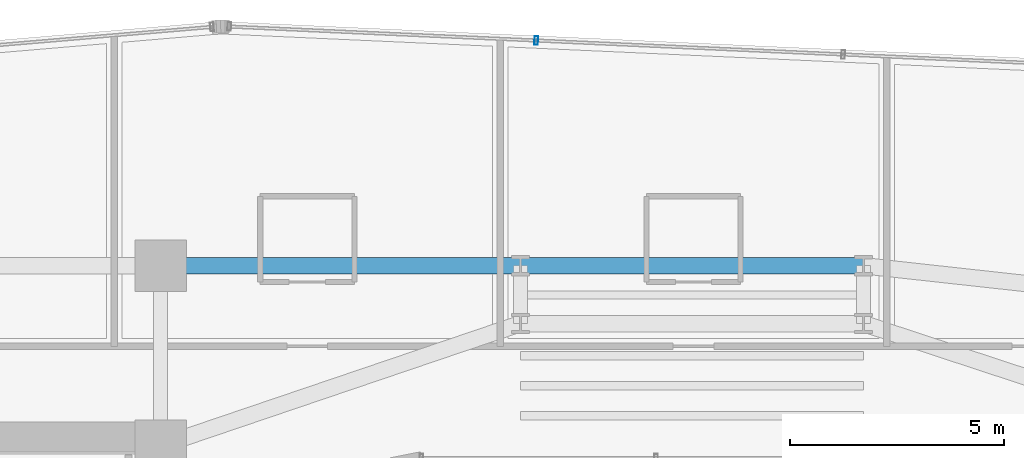
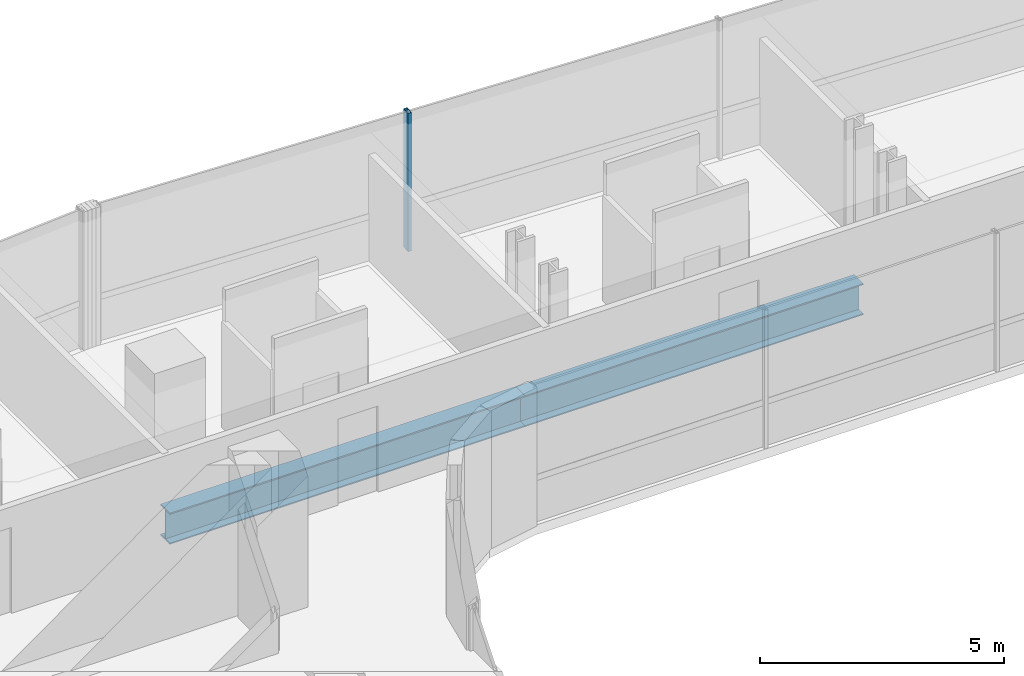
# One storey, part 20 of 35: 2 beams, 1 member, 1 element without a shape of its own.
"""IFC4 building model written with IfcOpenShell, lengths in metres."""

from ifc_helpers import new_model, si_unit, direction, frame, origin, origin_2d, place, context, subcontext, project, spatial, hollow_rectangle, i_section, extrude, source, transform, mapped, material, material_profile, profile_set, type_object, element, aggregate, save


model = new_model("IFC4")

# Units and contexts
model_context = context("Model", 3, precision=1e-05, world=origin(), true_north=direction((0.0, 1.0)))
body_context = subcontext(model_context, "Body", "Model", "MODEL_VIEW")
ifc_project = project(units=[si_unit("LENGTHUNIT", "METRE"), si_unit("AREAUNIT", "SQUARE_METRE"), si_unit("VOLUMEUNIT", "CUBIC_METRE"), si_unit("PLANEANGLEUNIT", "RADIAN"), si_unit("MASSUNIT", "GRAM", prefix="KILO")], contexts=[model_context])

# Site, building, storey
site_placement = place(None, origin())
site = spatial("IfcSite", under=ifc_project, at=site_placement, CompositionType="ELEMENT")
building_placement = place(site_placement, origin())
building = spatial("IfcBuilding", under=site, at=building_placement, Name="Valdorenza Pilgrim Sanctuary Tower", CompositionType="ELEMENT")
storey_placement = place(building_placement, frame((0.0, 0.0, 113.10009765625)))
storey = spatial("IfcBuildingStorey", under=building, at=storey_placement, Name="L28", CompositionType="ELEMENT", Elevation=113.10009765625)

# Beams
ifc_material_1 = material(Name="Steel ASTM A992 Grade 50", Category="steel")
ifc_material_profile_1 = material_profile(ifc_material_1, i_section(OverallWidth=0.382080078125, OverallDepth=0.779052734375, WebThickness=0.01806640625, FlangeThickness=0.030029296875, at=origin_2d()), Name="W30X191")
ifc_profile_set_1 = profile_set([ifc_material_profile_1], Name="Steel ASTM A992 Grade 50")
beam_type = type_object("IfcBeamType", Name="STR-BM-GRD-W30", PredefinedType="BEAM", material=ifc_profile_set_1)
shared_shape_1 = source(origin(), body_context, "Body", "SweptSolid", [
    extrude(i_section(OverallWidth=0.382080078125, OverallDepth=0.779052734375, WebThickness=0.01806640625, FlangeThickness=0.030029296875, at=origin_2d()), origin(), (0.0, 0.0, 1.0), 8.0),
])
beam_1_placement = place(storey_placement, frame((-4.0, 14.800048828125, -0.629638671875), z_axis=(1.0, 0.0, 0.0), x_axis=(0.0, 1.0, 0.0)))
element("IfcBeam", 1, at=beam_1_placement, inside=storey, type_object=beam_type, Name="L28 Floor Girder KNK-G5", PredefinedType="BEAM", context=body_context, shape_type="MappedRepresentation", body=[
    mapped(shared_shape_1, transform((0.0, 0.0, 0.0), x_axis=(1.0, 0.0, 0.0), y_axis=(0.0, 1.0, 0.0), z_axis=(0.0, 0.0, 1.0), scale=1.0)),
])
shared_shape_2 = source(origin(), body_context, "Body", "SweptSolid", [
    extrude(i_section(OverallWidth=0.382080078125, OverallDepth=0.779052734375, WebThickness=0.01806640625, FlangeThickness=0.030029296875, at=origin_2d()), origin(), (0.0, 0.0, 1.0), 8.39990234375),
])
beam_2_placement = place(storey_placement, frame((-12.39990234375, 14.800048828125, -0.629638671875), z_axis=(1.0, 0.0, 0.0), x_axis=(0.0, 1.0, 0.0)))
element("IfcBeam", 2, at=beam_2_placement, inside=storey, type_object=beam_type, Name="L28 Floor Girder KNK-G4", PredefinedType="BEAM", context=body_context, shape_type="MappedRepresentation", body=[
    mapped(shared_shape_2, transform((0.0, 0.0, 0.0), x_axis=(1.0, 0.0, 0.0), y_axis=(0.0, 1.0, 0.0), z_axis=(0.0, 0.0, 1.0), scale=1.0)),
])

# Curtain wall, member
ifc_material_2 = material(Name="Curtain-wall IGU glazing", Category="glass")
curtain_wall_type = type_object("IfcCurtainWallType", Name="CW-SYS-02", PredefinedType="NOTDEFINED", material=ifc_material_2)
curtain_wall_placement = place(storey_placement, origin())
curtain_wall = element("IfcCurtainWall", 3, at=curtain_wall_placement, inside=storey, type_object=curtain_wall_type, Name="L28 Curtain Wall CW-L28-1-11", PredefinedType="NOTDEFINED")
ifc_material_3 = material(Name="Anodised aluminium AW-6060", Category="aluminium")
ifc_material_profile_2 = material_profile(ifc_material_3, hollow_rectangle(XDim=0.0849609375, YDim=0.199951171875, WallThickness=0.0048828125, at=origin_2d()), Name="ALU-M 200x85x5")
ifc_profile_set_2 = profile_set([ifc_material_profile_2], Name="Anodised aluminium AW-6060")
member_type = type_object("IfcMemberType", Name="CW-MUL-02", PredefinedType="MULLION", material=ifc_profile_set_2)
shared_shape_3 = source(origin(), body_context, "Body", "SweptSolid", [
    extrude(hollow_rectangle(XDim=0.0849609375, YDim=0.199951171875, WallThickness=0.0048828125, at=origin_2d()), origin(), (0.0, 0.0, 1.0), 3.4599609375),
])
member_placement = place(storey_placement, frame((-3.6337890625, 20.05517578125, 0.0), z_axis=(0.0, 0.0, 1.0), x_axis=(0.998968193221, -0.045415294044, 0.0)))
member = element("IfcMember", 4, at=member_placement, type_object=member_type, Name="CW-L28-1-11 Mullion 2", PredefinedType="MULLION", context=body_context, shape_type="MappedRepresentation", body=[
    mapped(shared_shape_3, transform((0.0, 0.0, 0.0), x_axis=(1.0, 0.0, 0.0), y_axis=(0.0, 1.0, 0.0), z_axis=(0.0, 0.0, 1.0), scale=1.0)),
])
aggregate(curtain_wall, [member])

save(model, "model.ifc")
